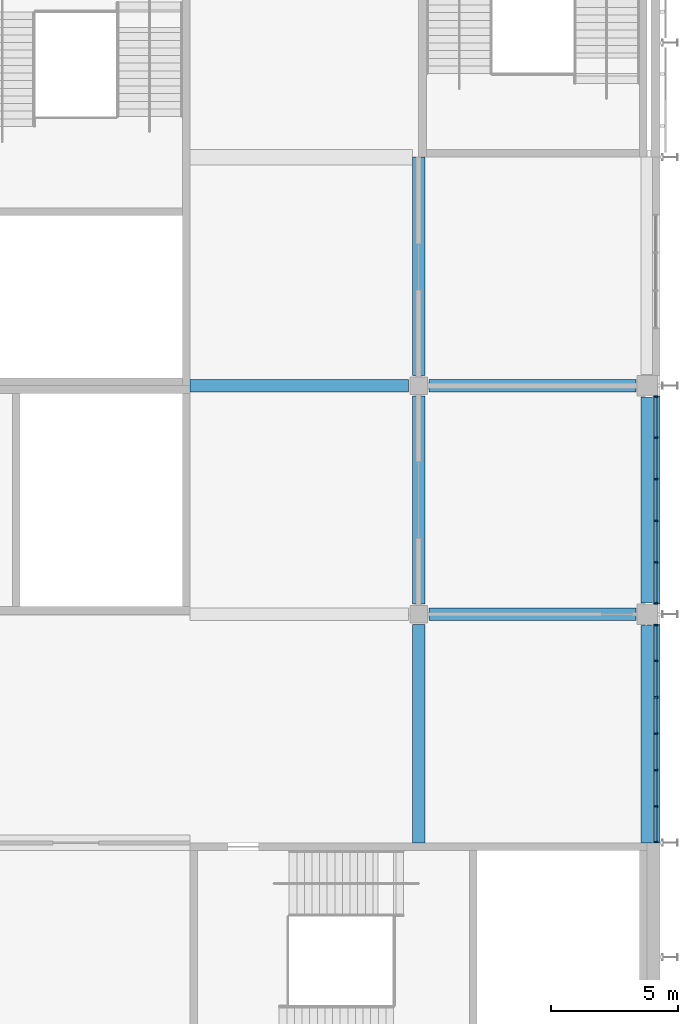
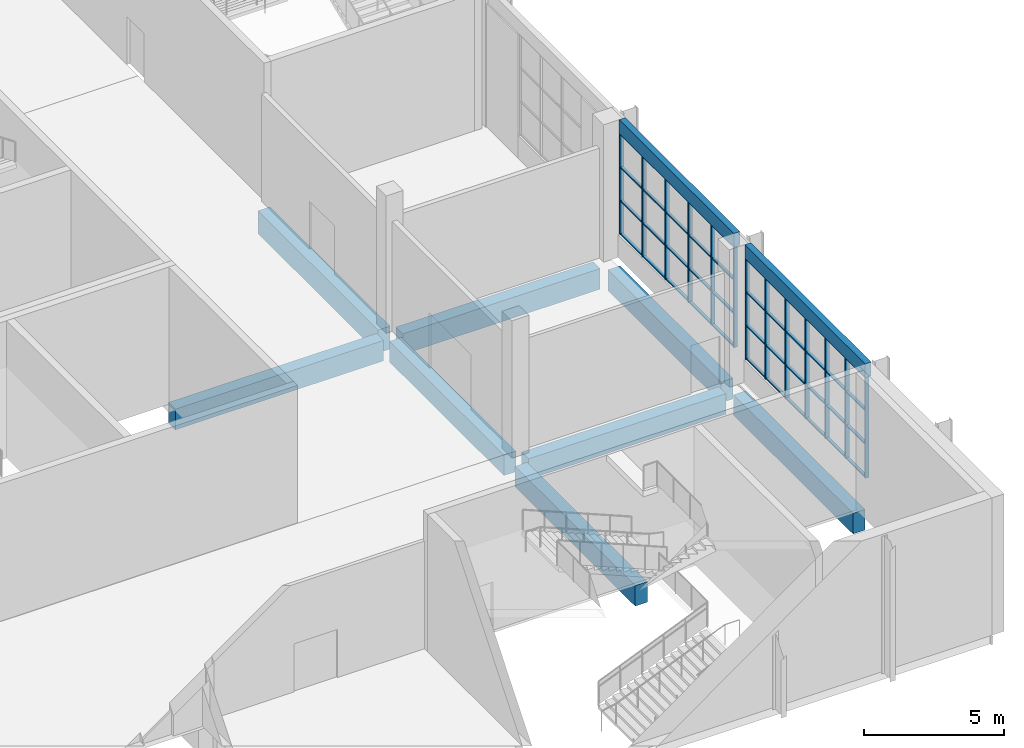
# One storey, part 19 of 89: 57 members, 10 beams, 2 elements without a shape of their own.
"""IFC4 building model written with IfcOpenShell, lengths in metres."""

import ifcopenshell
import ifcopenshell.guid

model = None  # the IFC model being written
_history = None  # IfcOwnerHistory: only IFC2X3 demands one
_inside = {}  # id of a spatial element -> (the spatial element, [elements in it])
_under = {}  # id of a project, library or spatial element -> (it, [spatial elements below it])
_declared = {}  # id of a project -> (the project, [libraries it declares])
_typed = {}  # id of a type object -> (the type object, [elements of that type])
_made_of = {}  # id of a material, layer set ... -> (it, [elements and type objects made of it])


def new_model(schema):
    """Start an empty IFC model of exactly this schema.

    Asked for "IFC4X3", IfcOpenShell would pick the latest addendum, in which some entities
    have other attributes; the version numbers below select the first issue.
    IFC2X3 requires an IfcOwnerHistory on every rooted entity: one is made here for all.
    """
    global model, _history
    if schema == "IFC4X3":
        model = ifcopenshell.file(schema_version=(4, 3, 0, 0))
    else:
        model = ifcopenshell.file(schema=schema)
    _inside.clear()
    _under.clear()
    _declared.clear()
    _typed.clear()
    _made_of.clear()
    _history = None
    if model.schema == "IFC2X3":
        org = make("IfcOrganization", Name="unknown")
        user = make(
            "IfcPersonAndOrganization",
            ThePerson=make("IfcPerson", FamilyName="unknown"),
            TheOrganization=org,
        )
        app = make(
            "IfcApplication",
            ApplicationDeveloper=org,
            Version="unknown",
            ApplicationFullName="unknown",
            ApplicationIdentifier="unknown",
        )
        _history = make(
            "IfcOwnerHistory",
            OwningUser=user,
            OwningApplication=app,
            ChangeAction="ADDED",
            CreationDate=0,
        )
    return model


def make(cls, **values):
    """One entity of the class cls with the attributes given. An attribute that is None is left unset."""
    return model.create_entity(
        cls, **{name: value for name, value in values.items() if value is not None}
    )


def rooted(cls, **values):
    """An entity with a GlobalId (a new one), such as an element, a storey or a relation."""
    return make(cls, GlobalId=ifcopenshell.guid.new(), OwnerHistory=_history, **values)


def si_unit(unit_type, name, prefix=None):
    """IfcSIUnit, for example si_unit("LENGTHUNIT", "METRE", prefix="MILLI")."""
    return make("IfcSIUnit", UnitType=unit_type, Prefix=prefix, Name=name)


def assignment(units):
    """IfcUnitAssignment: the units of a project."""
    return None if units is None else make("IfcUnitAssignment", Units=units)


def point(xyz):
    """IfcCartesianPoint."""
    return None if xyz is None else make("IfcCartesianPoint", Coordinates=xyz)


def direction(xyz):
    """IfcDirection."""
    return None if xyz is None else make("IfcDirection", DirectionRatios=xyz)


def frame(location, z_axis=None, x_axis=None):
    """IfcAxis2Placement3D, a coordinate frame: its origin and axes. An axis left out is left unset."""
    return make(
        "IfcAxis2Placement3D",
        Location=point(location),
        Axis=direction(z_axis),
        RefDirection=direction(x_axis),
    )


def frame_2d(location, x_axis=None):
    """IfcAxis2Placement2D, a coordinate frame in the plane: its origin and x axis."""
    return make(
        "IfcAxis2Placement2D", Location=point(location), RefDirection=direction(x_axis)
    )


def origin():
    """The frame at (0, 0, 0) with its axes left unset."""
    return frame((0.0, 0.0, 0.0))


def origin_2d():
    """The frame at (0, 0) in the plane with its x axis left unset."""
    return frame_2d((0.0, 0.0))


def place(relative_to, where):
    """IfcLocalPlacement: puts the frame where relative to a parent placement (None: the world)."""
    return make(
        "IfcLocalPlacement", PlacementRelTo=relative_to, RelativePlacement=where
    )


def context(
    kind, dimensions, precision=None, world=None, true_north=None, identifier=None
):
    """IfcGeometricRepresentationContext, for example the 3D "Model" context."""
    return make(
        "IfcGeometricRepresentationContext",
        ContextIdentifier=identifier,
        ContextType=kind,
        CoordinateSpaceDimension=dimensions,
        Precision=precision,
        WorldCoordinateSystem=world,
        TrueNorth=true_north,
    )


def subcontext(parent, identifier, kind, view, scale=None):
    """IfcGeometricRepresentationSubContext, for example "Body" below "Model"."""
    return make(
        "IfcGeometricRepresentationSubContext",
        ContextIdentifier=identifier,
        ContextType=kind,
        ParentContext=parent,
        TargetScale=scale,
        TargetView=view,
    )


def project(units=None, contexts=None):
    """IfcProject with its units and contexts."""
    return rooted(
        "IfcProject",
        Name="project",
        RepresentationContexts=contexts,
        UnitsInContext=assignment(units),
    )


def spatial(cls, under=None, at=None, **own):
    """A site, building, storey or space (cls), placed at a placement, below another one or the project."""
    s = rooted(cls, ObjectPlacement=at, **own)
    if under is not None:
        _under.setdefault(under.id(), (under, []))[1].append(s)
    return s


def profile(cls, at=None, kind="AREA", **sizes):
    """A parametric profile (cls). Its sizes go by their IFC names, for example OverallWidth=200.0."""
    return make(cls, ProfileType=kind, Position=at, **sizes)


def rectangle(**sizes):
    """IfcRectangleProfileDef."""
    return profile("IfcRectangleProfileDef", **sizes)


def extrude(swept, where, along, depth):
    """IfcExtrudedAreaSolid: the profile swept, set in the frame where, extruded along a direction by depth."""
    return make(
        "IfcExtrudedAreaSolid",
        SweptArea=swept,
        Position=where,
        ExtrudedDirection=direction(along),
        Depth=depth,
    )


def shape(context_of_items, identifier, shape_type, items):
    """IfcShapeRepresentation: the items that make up one representation, for example the "Body"."""
    return make(
        "IfcShapeRepresentation",
        ContextOfItems=context_of_items,
        RepresentationIdentifier=identifier,
        RepresentationType=shape_type,
        Items=items,
    )


def material(Name=None, Category=None):
    """IfcMaterial."""
    return make("IfcMaterial", Name=Name, Category=Category)


def material_profile(
    of_material, cross_section, Name=None, Category=None, Priority=None
):
    """IfcMaterialProfile: a cross section and its material."""
    return make(
        "IfcMaterialProfile",
        Name=Name,
        Material=of_material,
        Profile=cross_section,
        Priority=Priority,
        Category=Category,
    )


def profile_set(profiles, Name=None, composite=None):
    """IfcMaterialProfileSet."""
    return make(
        "IfcMaterialProfileSet",
        Name=Name,
        MaterialProfiles=profiles,
        CompositeProfile=composite,
    )


def made_of(thing, what):
    """Note that an element or type object is made of a material, layer set ...; save() writes the relation."""
    if what is not None:
        _made_of.setdefault(what.id(), (what, []))[1].append(thing)
    return thing


def type_object(cls, material=None, **own):
    """A type object (cls), such as IfcWallType, which elements share."""
    return made_of(rooted(cls, **own), material)


def element(
    cls,
    number,
    at=None,
    inside=None,
    cuts=None,
    type_object=None,
    material=None,
    context=None,
    identifier="Body",
    shape_type=None,
    held_by="IfcProductDefinitionShape",
    body=None,
    shapes=None,
    **own,
):
    """One element of the class cls, such as IfcWall. Its Tag is "e" and its number.

    at: its placement. inside: the storey or other place that contains it. cuts: it is an
    opening in that element (IfcRelVoidsElement). A single representation is given by context,
    identifier, shape_type and body (its items); several are given by shapes. held_by: the class
    of the entity that holds the representations. save() writes the other relations.
    """
    e = rooted(cls, Tag="e%d" % number, ObjectPlacement=at, **own)
    if body is not None:
        shapes = [shape(context, identifier, shape_type, body)]
    if shapes is not None:
        e.Representation = make(held_by, Representations=shapes)
    if inside is not None:
        _inside.setdefault(inside.id(), (inside, []))[1].append(e)
    if cuts is not None:
        rooted(
            "IfcRelVoidsElement", RelatingBuildingElement=cuts, RelatedOpeningElement=e
        )
    if type_object is not None:
        _typed.setdefault(type_object.id(), (type_object, []))[1].append(e)
    return made_of(e, material)


def aggregate(whole, parts):
    """IfcRelAggregates: a whole, such as a stair, and the parts it consists of."""
    return rooted("IfcRelAggregates", RelatingObject=whole, RelatedObjects=parts)


def save(model, path):
    """Write the relations noted so far, then the file.

    IfcRelAggregates (storeys below a building ...), IfcRelContainedInSpatialStructure (elements
    in a storey), IfcRelDefinesByType, IfcRelAssociatesMaterial and IfcRelDeclares: one each for
    every whole, place, type object, material and project.
    """
    for whole, parts in _under.values():
        aggregate(whole, parts)
    for where, things in _inside.values():
        rooted(
            "IfcRelContainedInSpatialStructure",
            RelatedElements=things,
            RelatingStructure=where,
        )
    for kind, things in _typed.values():
        rooted("IfcRelDefinesByType", RelatedObjects=things, RelatingType=kind)
    for what, things in _made_of.values():
        rooted("IfcRelAssociatesMaterial", RelatedObjects=things, RelatingMaterial=what)
    for by, libraries in _declared.values():
        rooted("IfcRelDeclares", RelatingContext=by, RelatedDefinitions=libraries)
    model.write(path)


model = new_model("IFC4")

# Units and contexts
model_context = context("Model", 3, precision=1e-05, world=origin(), true_north=direction((0.0, 1.0)))
body_context = subcontext(model_context, "Body", "Model", "MODEL_VIEW")
ifc_project = project(units=[si_unit("LENGTHUNIT", "METRE"), si_unit("AREAUNIT", "SQUARE_METRE"), si_unit("VOLUMEUNIT", "CUBIC_METRE"), si_unit("PLANEANGLEUNIT", "RADIAN"), si_unit("MASSUNIT", "GRAM", prefix="KILO")], contexts=[model_context])

# Site, building, storey
site_placement = place(None, origin())
site = spatial("IfcSite", under=ifc_project, at=site_placement, CompositionType="ELEMENT")
building_placement = place(site_placement, origin())
building = spatial("IfcBuilding", under=site, at=building_placement, Name="Silverbay Arena", CompositionType="ELEMENT")
storey_placement = place(building_placement, frame((0.0, 0.0, 22.0)))
storey = spatial("IfcBuildingStorey", under=building, at=storey_placement, Name="L03", CompositionType="ELEMENT", Elevation=22.0)

# Curtain wall, members
ifc_material_1 = material(Name="Aluminium framed curtain wall", Category="aluminium")
curtain_wall_type_1 = type_object("IfcCurtainWallType", Name="Curtain wall 8600 x 4400", PredefinedType="NOTDEFINED", material=ifc_material_1)
curtain_wall_1_placement = place(storey_placement, origin())
curtain_wall_1 = element("IfcCurtainWall", 1, at=curtain_wall_1_placement, inside=storey, type_object=curtain_wall_type_1, Name="East curtain wall L03 bay 2", PredefinedType="NOTDEFINED")
ifc_material_2 = material(Name="Aluminium", Category="aluminium")
ifc_material_profile_1 = material_profile(ifc_material_2, rectangle(XDim=0.159912109375, YDim=0.06005859375, at=origin_2d()), Name="Mullion 60 x 160")
ifc_profile_set_1 = profile_set([ifc_material_profile_1], Name="Aluminium")
member_type_1 = type_object("IfcMemberType", Name="Mullion 60 x 160", PredefinedType="MULLION", material=ifc_profile_set_1)
member_1_placement = place(storey_placement, frame((207.330078125, 27.030029296875, 1.0), z_axis=(0.0, 0.0, 1.0), x_axis=(-1.0, 0.0, 0.0)))
member_1 = element("IfcMember", 2, at=member_1_placement, type_object=member_type_1, Name="CW12 mullion 1", PredefinedType="MULLION", context=body_context, shape_type="SweptSolid", body=[
    extrude(rectangle(XDim=0.159912109375, YDim=0.06005859375, at=origin_2d()), origin(), (0.0, 0.0, 1.0), 4.39990234375),
])
member_2_placement = place(storey_placement, frame((207.330078125, 28.433349609375, 1.0), z_axis=(0.0, 0.0, 1.0), x_axis=(-1.0, 0.0, 0.0)))
member_2 = element("IfcMember", 3, at=member_2_placement, type_object=member_type_1, Name="CW12 mullion 2", PredefinedType="MULLION", context=body_context, shape_type="SweptSolid", body=[
    extrude(rectangle(XDim=0.159912109375, YDim=0.06005859375, at=origin_2d()), origin(), (0.0, 0.0, 1.0), 4.39990234375),
])
member_3_placement = place(storey_placement, frame((207.330078125, 29.86669921875, 1.0), z_axis=(0.0, 0.0, 1.0), x_axis=(-1.0, 0.0, 0.0)))
member_3 = element("IfcMember", 4, at=member_3_placement, type_object=member_type_1, Name="CW12 mullion 3", PredefinedType="MULLION", context=body_context, shape_type="SweptSolid", body=[
    extrude(rectangle(XDim=0.159912109375, YDim=0.06005859375, at=origin_2d()), origin(), (0.0, 0.0, 1.0), 4.39990234375),
])
member_4_placement = place(storey_placement, frame((207.330078125, 31.300048828125, 1.0), z_axis=(0.0, 0.0, 1.0), x_axis=(-1.0, 0.0, 0.0)))
member_4 = element("IfcMember", 5, at=member_4_placement, type_object=member_type_1, Name="CW12 mullion 4", PredefinedType="MULLION", context=body_context, shape_type="SweptSolid", body=[
    extrude(rectangle(XDim=0.159912109375, YDim=0.06005859375, at=origin_2d()), origin(), (0.0, 0.0, 1.0), 4.39990234375),
])
member_5_placement = place(storey_placement, frame((207.330078125, 32.7333984375, 1.0), z_axis=(0.0, 0.0, 1.0), x_axis=(-1.0, 0.0, 0.0)))
member_5 = element("IfcMember", 6, at=member_5_placement, type_object=member_type_1, Name="CW12 mullion 5", PredefinedType="MULLION", context=body_context, shape_type="SweptSolid", body=[
    extrude(rectangle(XDim=0.159912109375, YDim=0.06005859375, at=origin_2d()), origin(), (0.0, 0.0, 1.0), 4.39990234375),
])
member_6_placement = place(storey_placement, frame((207.330078125, 34.166748046875, 1.0), z_axis=(0.0, 0.0, 1.0), x_axis=(-1.0, 0.0, 0.0)))
member_6 = element("IfcMember", 7, at=member_6_placement, type_object=member_type_1, Name="CW12 mullion 6", PredefinedType="MULLION", context=body_context, shape_type="SweptSolid", body=[
    extrude(rectangle(XDim=0.159912109375, YDim=0.06005859375, at=origin_2d()), origin(), (0.0, 0.0, 1.0), 4.39990234375),
])
member_7_placement = place(storey_placement, frame((207.330078125, 35.570068359375, 1.0), z_axis=(0.0, 0.0, 1.0), x_axis=(-1.0, 0.0, 0.0)))
member_7 = element("IfcMember", 8, at=member_7_placement, type_object=member_type_1, Name="CW12 mullion 7", PredefinedType="MULLION", context=body_context, shape_type="SweptSolid", body=[
    extrude(rectangle(XDim=0.159912109375, YDim=0.06005859375, at=origin_2d()), origin(), (0.0, 0.0, 1.0), 4.39990234375),
])

ifc_material_3 = material(Name="Aluminium framed curtain wall", Category="aluminium")
curtain_wall_type_2 = type_object("IfcCurtainWallType", Name="Curtain wall 8200 x 4400", PredefinedType="NOTDEFINED", material=ifc_material_3)
curtain_wall_2_placement = place(storey_placement, origin())
curtain_wall_2 = element("IfcCurtainWall", 9, at=curtain_wall_2_placement, inside=storey, type_object=curtain_wall_type_2, Name="East curtain wall L03 bay 3", PredefinedType="NOTDEFINED")
member_8_placement = place(storey_placement, frame((207.330078125, 36.429931640625, 1.0), z_axis=(0.0, 0.0, 1.0), x_axis=(-1.0, 0.0, 0.0)))
member_8 = element("IfcMember", 10, at=member_8_placement, type_object=member_type_1, Name="CW13 mullion 1", PredefinedType="MULLION", context=body_context, shape_type="SweptSolid", body=[
    extrude(rectangle(XDim=0.159912109375, YDim=0.06005859375, at=origin_2d()), origin(), (0.0, 0.0, 1.0), 4.39990234375),
])
member_9_placement = place(storey_placement, frame((207.330078125, 38.0400390625, 1.0), z_axis=(0.0, 0.0, 1.0), x_axis=(-1.0, 0.0, 0.0)))
member_9 = element("IfcMember", 11, at=member_9_placement, type_object=member_type_1, Name="CW13 mullion 2", PredefinedType="MULLION", context=body_context, shape_type="SweptSolid", body=[
    extrude(rectangle(XDim=0.159912109375, YDim=0.06005859375, at=origin_2d()), origin(), (0.0, 0.0, 1.0), 4.39990234375),
])
member_10_placement = place(storey_placement, frame((207.330078125, 39.679931640625, 1.0), z_axis=(0.0, 0.0, 1.0), x_axis=(-1.0, 0.0, 0.0)))
member_10 = element("IfcMember", 12, at=member_10_placement, type_object=member_type_1, Name="CW13 mullion 3", PredefinedType="MULLION", context=body_context, shape_type="SweptSolid", body=[
    extrude(rectangle(XDim=0.159912109375, YDim=0.06005859375, at=origin_2d()), origin(), (0.0, 0.0, 1.0), 4.39990234375),
])
member_11_placement = place(storey_placement, frame((207.330078125, 41.320068359375, 1.0), z_axis=(0.0, 0.0, 1.0), x_axis=(-1.0, 0.0, 0.0)))
member_11 = element("IfcMember", 13, at=member_11_placement, type_object=member_type_1, Name="CW13 mullion 4", PredefinedType="MULLION", context=body_context, shape_type="SweptSolid", body=[
    extrude(rectangle(XDim=0.159912109375, YDim=0.06005859375, at=origin_2d()), origin(), (0.0, 0.0, 1.0), 4.39990234375),
])
member_12_placement = place(storey_placement, frame((207.330078125, 42.9599609375, 1.0), z_axis=(0.0, 0.0, 1.0), x_axis=(-1.0, 0.0, 0.0)))
member_12 = element("IfcMember", 14, at=member_12_placement, type_object=member_type_1, Name="CW13 mullion 5", PredefinedType="MULLION", context=body_context, shape_type="SweptSolid", body=[
    extrude(rectangle(XDim=0.159912109375, YDim=0.06005859375, at=origin_2d()), origin(), (0.0, 0.0, 1.0), 4.39990234375),
])
member_13_placement = place(storey_placement, frame((207.330078125, 44.570068359375, 1.0), z_axis=(0.0, 0.0, 1.0), x_axis=(-1.0, 0.0, 0.0)))
member_13 = element("IfcMember", 15, at=member_13_placement, type_object=member_type_1, Name="CW13 mullion 6", PredefinedType="MULLION", context=body_context, shape_type="SweptSolid", body=[
    extrude(rectangle(XDim=0.159912109375, YDim=0.06005859375, at=origin_2d()), origin(), (0.0, 0.0, 1.0), 4.39990234375),
])

# Beams
ifc_material_4 = material(Name="Concrete Grade C45", Category="concrete")
ifc_material_profile_2 = material_profile(ifc_material_4, rectangle(XDim=0.5, YDim=1.0, at=origin_2d()), Name="RC 500x1000")
ifc_profile_set_2 = profile_set([ifc_material_profile_2], Name="Concrete Grade C45")
beam_type_1 = type_object("IfcBeamType", Name="RC beam 500x1000", PredefinedType="BEAM", material=ifc_profile_set_2)
beam_1_placement = place(storey_placement, frame((198.0, 45.39990234375, -0.85009765625), z_axis=(0.0, 1.0, 0.0), x_axis=(-1.0, 0.0, 0.0)))
element("IfcBeam", 16, at=beam_1_placement, inside=storey, type_object=beam_type_1, Name="Floor beam L03 165", PredefinedType="BEAM", context=body_context, shape_type="SweptSolid", body=[
    extrude(rectangle(XDim=0.5, YDim=1.0, at=origin_2d()), origin(), (0.0, 0.0, 1.0), 8.60009765625),
])
ifc_material_5 = material(Name="Concrete Grade C45", Category="concrete")
ifc_material_profile_3 = material_profile(ifc_material_5, rectangle(XDim=0.5, YDim=0.89990234375, at=origin_2d()), Name="RC 500x900")
ifc_profile_set_3 = profile_set([ifc_material_profile_3], Name="Concrete Grade C45")
beam_type_2 = type_object("IfcBeamType", Name="RC beam 500x900", PredefinedType="BEAM", material=ifc_profile_set_3)
beam_2_placement = place(storey_placement, frame((198.39990234375, 36.0, -0.800048828125), z_axis=(1.0, 0.0, 0.0), x_axis=(0.0, 1.0, 0.0)))
element("IfcBeam", 17, at=beam_2_placement, inside=storey, type_object=beam_type_2, Name="Floor beam L03 014", PredefinedType="BEAM", context=body_context, shape_type="SweptSolid", body=[
    extrude(rectangle(XDim=0.5, YDim=0.89990234375, at=origin_2d()), origin(), (0.0, 0.0, 1.0), 8.150146484375),
])
beam_3_placement = place(storey_placement, frame((189.0, 45.0, -0.800048828125), z_axis=(1.0, 0.0, 0.0), x_axis=(0.0, 1.0, 0.0)))
element("IfcBeam", 18, at=beam_3_placement, inside=storey, type_object=beam_type_2, Name="Floor beam L03 019", PredefinedType="BEAM", context=body_context, shape_type="SweptSolid", body=[
    extrude(rectangle(XDim=0.5, YDim=0.89990234375, at=origin_2d()), origin(), (0.0, 0.0, 1.0), 8.60009765625),
])
beam_4_placement = place(storey_placement, frame((198.39990234375, 45.0, -0.800048828125), z_axis=(1.0, 0.0, 0.0), x_axis=(0.0, 1.0, 0.0)))
element("IfcBeam", 19, at=beam_4_placement, inside=storey, type_object=beam_type_2, Name="Floor beam L03 020", PredefinedType="BEAM", context=body_context, shape_type="SweptSolid", body=[
    extrude(rectangle(XDim=0.5, YDim=0.89990234375, at=origin_2d()), origin(), (0.0, 0.0, 1.0), 8.150146484375),
])
beam_5_placement = place(storey_placement, frame((198.0, 27.0, -0.800048828125), z_axis=(0.0, 1.0, 0.0), x_axis=(-1.0, 0.0, 0.0)))
element("IfcBeam", 20, at=beam_5_placement, inside=storey, type_object=beam_type_2, Name="Floor beam L03 163", PredefinedType="BEAM", context=body_context, shape_type="SweptSolid", body=[
    extrude(rectangle(XDim=0.5, YDim=0.89990234375, at=origin_2d()), origin(), (0.0, 0.0, 1.0), 8.60009765625),
])
beam_6_placement = place(storey_placement, frame((198.0, 36.39990234375, -0.800048828125), z_axis=(0.0, 1.0, 0.0), x_axis=(-1.0, 0.0, 0.0)))
element("IfcBeam", 21, at=beam_6_placement, inside=storey, type_object=beam_type_2, Name="Floor beam L03 164", PredefinedType="BEAM", context=body_context, shape_type="SweptSolid", body=[
    extrude(rectangle(XDim=0.5, YDim=0.89990234375, at=origin_2d()), origin(), (0.0, 0.0, 1.0), 8.2001953125),
])
beam_7_placement = place(storey_placement, frame((207.0, 27.0, -0.800048828125), z_axis=(0.0, 1.0, 0.0), x_axis=(-1.0, 0.0, 0.0)))
element("IfcBeam", 22, at=beam_7_placement, inside=storey, type_object=beam_type_2, Name="Floor beam L03 171", PredefinedType="BEAM", context=body_context, shape_type="SweptSolid", body=[
    extrude(rectangle(XDim=0.5, YDim=0.89990234375, at=origin_2d()), origin(), (0.0, 0.0, 1.0), 8.550048828125),
])
beam_8_placement = place(storey_placement, frame((207.0, 36.449951171875, -0.800048828125), z_axis=(0.0, 1.0, 0.0), x_axis=(-1.0, 0.0, 0.0)))
element("IfcBeam", 23, at=beam_8_placement, inside=storey, type_object=beam_type_2, Name="Floor beam L03 172", PredefinedType="BEAM", context=body_context, shape_type="SweptSolid", body=[
    extrude(rectangle(XDim=0.5, YDim=0.89990234375, at=origin_2d()), origin(), (0.0, 0.0, 1.0), 8.10009765625),
])
ifc_material_6 = material(Name="Concrete Grade C45", Category="concrete")
ifc_material_profile_4 = material_profile(ifc_material_6, rectangle(XDim=0.25, YDim=0.60009765625, at=origin_2d()), Name="RC 250x600")
ifc_profile_set_4 = profile_set([ifc_material_profile_4], Name="Concrete Grade C45")
beam_type_3 = type_object("IfcBeamType", Name="RC facade beam 250x600", PredefinedType="SPANDREL", material=ifc_profile_set_4)
beam_9_placement = place(storey_placement, frame((207.375, 27.0, 5.699951171875), z_axis=(0.0, 1.0, 0.0), x_axis=(-1.0, 0.0, 0.0)))
element("IfcBeam", 24, at=beam_9_placement, inside=storey, type_object=beam_type_3, Name="Facade beam L03 east", PredefinedType="SPANDREL", context=body_context, shape_type="SweptSolid", body=[
    extrude(rectangle(XDim=0.25, YDim=0.60009765625, at=origin_2d()), origin(), (0.0, 0.0, 1.0), 8.60009765625),
])
beam_10_placement = place(storey_placement, frame((207.375, 36.39990234375, 5.699951171875), z_axis=(0.0, 1.0, 0.0), x_axis=(-1.0, 0.0, 0.0)))
element("IfcBeam", 25, at=beam_10_placement, inside=storey, type_object=beam_type_3, Name="Facade beam L03 east", PredefinedType="SPANDREL", context=body_context, shape_type="SweptSolid", body=[
    extrude(rectangle(XDim=0.25, YDim=0.60009765625, at=origin_2d()), origin(), (0.0, 0.0, 1.0), 8.2001953125),
])

# Member
ifc_material_7 = material(Name="Aluminium", Category="aluminium")
ifc_material_profile_5 = material_profile(ifc_material_7, rectangle(XDim=0.1201171875, YDim=0.050048828125, at=origin_2d()), Name="Transom 50 x 120")
ifc_profile_set_5 = profile_set([ifc_material_profile_5], Name="Aluminium")
member_type_2 = type_object("IfcMemberType", Name="Transom 50 x 120", PredefinedType="USERDEFINED", material=ifc_profile_set_5)
member_14_placement = place(storey_placement, frame((207.330078125, 27.06005859375, 1.02490234375), z_axis=(0.0, 1.0, 0.0), x_axis=(-1.0, 0.0, 0.0)))
member_14 = element("IfcMember", 26, at=member_14_placement, type_object=member_type_2, Name="CW12 transom 1.1", ObjectType="TRANSOM", PredefinedType="USERDEFINED", context=body_context, shape_type="SweptSolid", body=[
    extrude(rectangle(XDim=0.1201171875, YDim=0.050048828125, at=origin_2d()), origin(), (0.0, 0.0, 1.0), 1.34326171875),
])

member_15_placement = place(storey_placement, frame((207.330078125, 27.06005859375, 2.466552734375), z_axis=(0.0, 1.0, 0.0), x_axis=(-1.0, 0.0, 0.0)))
member_15 = element("IfcMember", 27, at=member_15_placement, type_object=member_type_2, Name="CW12 transom 1.2", ObjectType="TRANSOM", PredefinedType="USERDEFINED", context=body_context, shape_type="SweptSolid", body=[
    extrude(rectangle(XDim=0.1201171875, YDim=0.050048828125, at=origin_2d()), origin(), (0.0, 0.0, 1.0), 1.34326171875),
])

member_16_placement = place(storey_placement, frame((207.330078125, 27.06005859375, 3.933349609375), z_axis=(0.0, 1.0, 0.0), x_axis=(-1.0, 0.0, 0.0)))
member_16 = element("IfcMember", 28, at=member_16_placement, type_object=member_type_2, Name="CW12 transom 1.3", ObjectType="TRANSOM", PredefinedType="USERDEFINED", context=body_context, shape_type="SweptSolid", body=[
    extrude(rectangle(XDim=0.1201171875, YDim=0.050048828125, at=origin_2d()), origin(), (0.0, 0.0, 1.0), 1.34326171875),
])

member_17_placement = place(storey_placement, frame((207.330078125, 27.06005859375, 5.375), z_axis=(0.0, 1.0, 0.0), x_axis=(-1.0, 0.0, 0.0)))
member_17 = element("IfcMember", 29, at=member_17_placement, type_object=member_type_2, Name="CW12 transom 1.4", ObjectType="TRANSOM", PredefinedType="USERDEFINED", context=body_context, shape_type="SweptSolid", body=[
    extrude(rectangle(XDim=0.1201171875, YDim=0.050048828125, at=origin_2d()), origin(), (0.0, 0.0, 1.0), 1.34326171875),
])

member_18_placement = place(storey_placement, frame((207.330078125, 28.46337890625, 1.02490234375), z_axis=(0.0, 1.0, 0.0), x_axis=(-1.0, 0.0, 0.0)))
member_18 = element("IfcMember", 30, at=member_18_placement, type_object=member_type_2, Name="CW12 transom 2.1", ObjectType="TRANSOM", PredefinedType="USERDEFINED", context=body_context, shape_type="SweptSolid", body=[
    extrude(rectangle(XDim=0.1201171875, YDim=0.050048828125, at=origin_2d()), origin(), (0.0, 0.0, 1.0), 1.373291015625),
])

member_19_placement = place(storey_placement, frame((207.330078125, 28.46337890625, 2.466552734375), z_axis=(0.0, 1.0, 0.0), x_axis=(-1.0, 0.0, 0.0)))
member_19 = element("IfcMember", 31, at=member_19_placement, type_object=member_type_2, Name="CW12 transom 2.2", ObjectType="TRANSOM", PredefinedType="USERDEFINED", context=body_context, shape_type="SweptSolid", body=[
    extrude(rectangle(XDim=0.1201171875, YDim=0.050048828125, at=origin_2d()), origin(), (0.0, 0.0, 1.0), 1.373291015625),
])

member_20_placement = place(storey_placement, frame((207.330078125, 28.46337890625, 3.933349609375), z_axis=(0.0, 1.0, 0.0), x_axis=(-1.0, 0.0, 0.0)))
member_20 = element("IfcMember", 32, at=member_20_placement, type_object=member_type_2, Name="CW12 transom 2.3", ObjectType="TRANSOM", PredefinedType="USERDEFINED", context=body_context, shape_type="SweptSolid", body=[
    extrude(rectangle(XDim=0.1201171875, YDim=0.050048828125, at=origin_2d()), origin(), (0.0, 0.0, 1.0), 1.373291015625),
])

member_21_placement = place(storey_placement, frame((207.330078125, 28.46337890625, 5.375), z_axis=(0.0, 1.0, 0.0), x_axis=(-1.0, 0.0, 0.0)))
member_21 = element("IfcMember", 33, at=member_21_placement, type_object=member_type_2, Name="CW12 transom 2.4", ObjectType="TRANSOM", PredefinedType="USERDEFINED", context=body_context, shape_type="SweptSolid", body=[
    extrude(rectangle(XDim=0.1201171875, YDim=0.050048828125, at=origin_2d()), origin(), (0.0, 0.0, 1.0), 1.373291015625),
])

member_22_placement = place(storey_placement, frame((207.330078125, 29.896728515625, 1.02490234375), z_axis=(0.0, 1.0, 0.0), x_axis=(-1.0, 0.0, 0.0)))
member_22 = element("IfcMember", 34, at=member_22_placement, type_object=member_type_2, Name="CW12 transom 3.1", ObjectType="TRANSOM", PredefinedType="USERDEFINED", context=body_context, shape_type="SweptSolid", body=[
    extrude(rectangle(XDim=0.1201171875, YDim=0.050048828125, at=origin_2d()), origin(), (0.0, 0.0, 1.0), 1.373291015625),
])

member_23_placement = place(storey_placement, frame((207.330078125, 29.896728515625, 2.466552734375), z_axis=(0.0, 1.0, 0.0), x_axis=(-1.0, 0.0, 0.0)))
member_23 = element("IfcMember", 35, at=member_23_placement, type_object=member_type_2, Name="CW12 transom 3.2", ObjectType="TRANSOM", PredefinedType="USERDEFINED", context=body_context, shape_type="SweptSolid", body=[
    extrude(rectangle(XDim=0.1201171875, YDim=0.050048828125, at=origin_2d()), origin(), (0.0, 0.0, 1.0), 1.373291015625),
])

member_24_placement = place(storey_placement, frame((207.330078125, 29.896728515625, 3.933349609375), z_axis=(0.0, 1.0, 0.0), x_axis=(-1.0, 0.0, 0.0)))
member_24 = element("IfcMember", 36, at=member_24_placement, type_object=member_type_2, Name="CW12 transom 3.3", ObjectType="TRANSOM", PredefinedType="USERDEFINED", context=body_context, shape_type="SweptSolid", body=[
    extrude(rectangle(XDim=0.1201171875, YDim=0.050048828125, at=origin_2d()), origin(), (0.0, 0.0, 1.0), 1.373291015625),
])

member_25_placement = place(storey_placement, frame((207.330078125, 29.896728515625, 5.375), z_axis=(0.0, 1.0, 0.0), x_axis=(-1.0, 0.0, 0.0)))
member_25 = element("IfcMember", 37, at=member_25_placement, type_object=member_type_2, Name="CW12 transom 3.4", ObjectType="TRANSOM", PredefinedType="USERDEFINED", context=body_context, shape_type="SweptSolid", body=[
    extrude(rectangle(XDim=0.1201171875, YDim=0.050048828125, at=origin_2d()), origin(), (0.0, 0.0, 1.0), 1.373291015625),
])

member_26_placement = place(storey_placement, frame((207.330078125, 31.330078125, 1.02490234375), z_axis=(0.0, 1.0, 0.0), x_axis=(-1.0, 0.0, 0.0)))
member_26 = element("IfcMember", 38, at=member_26_placement, type_object=member_type_2, Name="CW12 transom 4.1", ObjectType="TRANSOM", PredefinedType="USERDEFINED", context=body_context, shape_type="SweptSolid", body=[
    extrude(rectangle(XDim=0.1201171875, YDim=0.050048828125, at=origin_2d()), origin(), (0.0, 0.0, 1.0), 1.373291015625),
])

member_27_placement = place(storey_placement, frame((207.330078125, 31.330078125, 2.466552734375), z_axis=(0.0, 1.0, 0.0), x_axis=(-1.0, 0.0, 0.0)))
member_27 = element("IfcMember", 39, at=member_27_placement, type_object=member_type_2, Name="CW12 transom 4.2", ObjectType="TRANSOM", PredefinedType="USERDEFINED", context=body_context, shape_type="SweptSolid", body=[
    extrude(rectangle(XDim=0.1201171875, YDim=0.050048828125, at=origin_2d()), origin(), (0.0, 0.0, 1.0), 1.373291015625),
])

member_28_placement = place(storey_placement, frame((207.330078125, 31.330078125, 3.933349609375), z_axis=(0.0, 1.0, 0.0), x_axis=(-1.0, 0.0, 0.0)))
member_28 = element("IfcMember", 40, at=member_28_placement, type_object=member_type_2, Name="CW12 transom 4.3", ObjectType="TRANSOM", PredefinedType="USERDEFINED", context=body_context, shape_type="SweptSolid", body=[
    extrude(rectangle(XDim=0.1201171875, YDim=0.050048828125, at=origin_2d()), origin(), (0.0, 0.0, 1.0), 1.373291015625),
])

member_29_placement = place(storey_placement, frame((207.330078125, 31.330078125, 5.375), z_axis=(0.0, 1.0, 0.0), x_axis=(-1.0, 0.0, 0.0)))
member_29 = element("IfcMember", 41, at=member_29_placement, type_object=member_type_2, Name="CW12 transom 4.4", ObjectType="TRANSOM", PredefinedType="USERDEFINED", context=body_context, shape_type="SweptSolid", body=[
    extrude(rectangle(XDim=0.1201171875, YDim=0.050048828125, at=origin_2d()), origin(), (0.0, 0.0, 1.0), 1.373291015625),
])

member_30_placement = place(storey_placement, frame((207.330078125, 32.763427734375, 1.02490234375), z_axis=(0.0, 1.0, 0.0), x_axis=(-1.0, 0.0, 0.0)))
member_30 = element("IfcMember", 42, at=member_30_placement, type_object=member_type_2, Name="CW12 transom 5.1", ObjectType="TRANSOM", PredefinedType="USERDEFINED", context=body_context, shape_type="SweptSolid", body=[
    extrude(rectangle(XDim=0.1201171875, YDim=0.050048828125, at=origin_2d()), origin(), (0.0, 0.0, 1.0), 1.373291015625),
])

member_31_placement = place(storey_placement, frame((207.330078125, 32.763427734375, 2.466552734375), z_axis=(0.0, 1.0, 0.0), x_axis=(-1.0, 0.0, 0.0)))
member_31 = element("IfcMember", 43, at=member_31_placement, type_object=member_type_2, Name="CW12 transom 5.2", ObjectType="TRANSOM", PredefinedType="USERDEFINED", context=body_context, shape_type="SweptSolid", body=[
    extrude(rectangle(XDim=0.1201171875, YDim=0.050048828125, at=origin_2d()), origin(), (0.0, 0.0, 1.0), 1.373291015625),
])

member_32_placement = place(storey_placement, frame((207.330078125, 32.763427734375, 3.933349609375), z_axis=(0.0, 1.0, 0.0), x_axis=(-1.0, 0.0, 0.0)))
member_32 = element("IfcMember", 44, at=member_32_placement, type_object=member_type_2, Name="CW12 transom 5.3", ObjectType="TRANSOM", PredefinedType="USERDEFINED", context=body_context, shape_type="SweptSolid", body=[
    extrude(rectangle(XDim=0.1201171875, YDim=0.050048828125, at=origin_2d()), origin(), (0.0, 0.0, 1.0), 1.373291015625),
])

member_33_placement = place(storey_placement, frame((207.330078125, 32.763427734375, 5.375), z_axis=(0.0, 1.0, 0.0), x_axis=(-1.0, 0.0, 0.0)))
member_33 = element("IfcMember", 45, at=member_33_placement, type_object=member_type_2, Name="CW12 transom 5.4", ObjectType="TRANSOM", PredefinedType="USERDEFINED", context=body_context, shape_type="SweptSolid", body=[
    extrude(rectangle(XDim=0.1201171875, YDim=0.050048828125, at=origin_2d()), origin(), (0.0, 0.0, 1.0), 1.373291015625),
])

member_34_placement = place(storey_placement, frame((207.330078125, 34.19677734375, 1.02490234375), z_axis=(0.0, 1.0, 0.0), x_axis=(-1.0, 0.0, 0.0)))
member_34 = element("IfcMember", 46, at=member_34_placement, type_object=member_type_2, Name="CW12 transom 6.1", ObjectType="TRANSOM", PredefinedType="USERDEFINED", context=body_context, shape_type="SweptSolid", body=[
    extrude(rectangle(XDim=0.1201171875, YDim=0.050048828125, at=origin_2d()), origin(), (0.0, 0.0, 1.0), 1.34326171875),
])

member_35_placement = place(storey_placement, frame((207.330078125, 34.19677734375, 2.466552734375), z_axis=(0.0, 1.0, 0.0), x_axis=(-1.0, 0.0, 0.0)))
member_35 = element("IfcMember", 47, at=member_35_placement, type_object=member_type_2, Name="CW12 transom 6.2", ObjectType="TRANSOM", PredefinedType="USERDEFINED", context=body_context, shape_type="SweptSolid", body=[
    extrude(rectangle(XDim=0.1201171875, YDim=0.050048828125, at=origin_2d()), origin(), (0.0, 0.0, 1.0), 1.34326171875),
])

member_36_placement = place(storey_placement, frame((207.330078125, 34.19677734375, 3.933349609375), z_axis=(0.0, 1.0, 0.0), x_axis=(-1.0, 0.0, 0.0)))
member_36 = element("IfcMember", 48, at=member_36_placement, type_object=member_type_2, Name="CW12 transom 6.3", ObjectType="TRANSOM", PredefinedType="USERDEFINED", context=body_context, shape_type="SweptSolid", body=[
    extrude(rectangle(XDim=0.1201171875, YDim=0.050048828125, at=origin_2d()), origin(), (0.0, 0.0, 1.0), 1.34326171875),
])

member_37_placement = place(storey_placement, frame((207.330078125, 34.19677734375, 5.375), z_axis=(0.0, 1.0, 0.0), x_axis=(-1.0, 0.0, 0.0)))
member_37 = element("IfcMember", 49, at=member_37_placement, type_object=member_type_2, Name="CW12 transom 6.4", ObjectType="TRANSOM", PredefinedType="USERDEFINED", context=body_context, shape_type="SweptSolid", body=[
    extrude(rectangle(XDim=0.1201171875, YDim=0.050048828125, at=origin_2d()), origin(), (0.0, 0.0, 1.0), 1.34326171875),
])

aggregate(curtain_wall_1, [member_1, member_2, member_3, member_4, member_5, member_6, member_7, member_14, member_15, member_16, member_17, member_18, member_19, member_20, member_21, member_22, member_23, member_24, member_25, member_26, member_27, member_28, member_29, member_30, member_31, member_32, member_33, member_34, member_35, member_36, member_37])

member_38_placement = place(storey_placement, frame((207.330078125, 36.4599609375, 1.02490234375), z_axis=(0.0, 1.0, 0.0), x_axis=(-1.0, 0.0, 0.0)))
member_38 = element("IfcMember", 50, at=member_38_placement, type_object=member_type_2, Name="CW13 transom 1.1", ObjectType="TRANSOM", PredefinedType="USERDEFINED", context=body_context, shape_type="SweptSolid", body=[
    extrude(rectangle(XDim=0.1201171875, YDim=0.050048828125, at=origin_2d()), origin(), (0.0, 0.0, 1.0), 1.550048828125),
])

member_39_placement = place(storey_placement, frame((207.330078125, 36.4599609375, 2.466552734375), z_axis=(0.0, 1.0, 0.0), x_axis=(-1.0, 0.0, 0.0)))
member_39 = element("IfcMember", 51, at=member_39_placement, type_object=member_type_2, Name="CW13 transom 1.2", ObjectType="TRANSOM", PredefinedType="USERDEFINED", context=body_context, shape_type="SweptSolid", body=[
    extrude(rectangle(XDim=0.1201171875, YDim=0.050048828125, at=origin_2d()), origin(), (0.0, 0.0, 1.0), 1.550048828125),
])

member_40_placement = place(storey_placement, frame((207.330078125, 36.4599609375, 3.933349609375), z_axis=(0.0, 1.0, 0.0), x_axis=(-1.0, 0.0, 0.0)))
member_40 = element("IfcMember", 52, at=member_40_placement, type_object=member_type_2, Name="CW13 transom 1.3", ObjectType="TRANSOM", PredefinedType="USERDEFINED", context=body_context, shape_type="SweptSolid", body=[
    extrude(rectangle(XDim=0.1201171875, YDim=0.050048828125, at=origin_2d()), origin(), (0.0, 0.0, 1.0), 1.550048828125),
])

member_41_placement = place(storey_placement, frame((207.330078125, 36.4599609375, 5.375), z_axis=(0.0, 1.0, 0.0), x_axis=(-1.0, 0.0, 0.0)))
member_41 = element("IfcMember", 53, at=member_41_placement, type_object=member_type_2, Name="CW13 transom 1.4", ObjectType="TRANSOM", PredefinedType="USERDEFINED", context=body_context, shape_type="SweptSolid", body=[
    extrude(rectangle(XDim=0.1201171875, YDim=0.050048828125, at=origin_2d()), origin(), (0.0, 0.0, 1.0), 1.550048828125),
])

member_42_placement = place(storey_placement, frame((207.330078125, 38.070068359375, 1.02490234375), z_axis=(0.0, 1.0, 0.0), x_axis=(-1.0, 0.0, 0.0)))
member_42 = element("IfcMember", 54, at=member_42_placement, type_object=member_type_2, Name="CW13 transom 2.1", ObjectType="TRANSOM", PredefinedType="USERDEFINED", context=body_context, shape_type="SweptSolid", body=[
    extrude(rectangle(XDim=0.1201171875, YDim=0.050048828125, at=origin_2d()), origin(), (0.0, 0.0, 1.0), 1.579833984375),
])

member_43_placement = place(storey_placement, frame((207.330078125, 38.070068359375, 2.466552734375), z_axis=(0.0, 1.0, 0.0), x_axis=(-1.0, 0.0, 0.0)))
member_43 = element("IfcMember", 55, at=member_43_placement, type_object=member_type_2, Name="CW13 transom 2.2", ObjectType="TRANSOM", PredefinedType="USERDEFINED", context=body_context, shape_type="SweptSolid", body=[
    extrude(rectangle(XDim=0.1201171875, YDim=0.050048828125, at=origin_2d()), origin(), (0.0, 0.0, 1.0), 1.579833984375),
])

member_44_placement = place(storey_placement, frame((207.330078125, 38.070068359375, 3.933349609375), z_axis=(0.0, 1.0, 0.0), x_axis=(-1.0, 0.0, 0.0)))
member_44 = element("IfcMember", 56, at=member_44_placement, type_object=member_type_2, Name="CW13 transom 2.3", ObjectType="TRANSOM", PredefinedType="USERDEFINED", context=body_context, shape_type="SweptSolid", body=[
    extrude(rectangle(XDim=0.1201171875, YDim=0.050048828125, at=origin_2d()), origin(), (0.0, 0.0, 1.0), 1.579833984375),
])

member_45_placement = place(storey_placement, frame((207.330078125, 38.070068359375, 5.375), z_axis=(0.0, 1.0, 0.0), x_axis=(-1.0, 0.0, 0.0)))
member_45 = element("IfcMember", 57, at=member_45_placement, type_object=member_type_2, Name="CW13 transom 2.4", ObjectType="TRANSOM", PredefinedType="USERDEFINED", context=body_context, shape_type="SweptSolid", body=[
    extrude(rectangle(XDim=0.1201171875, YDim=0.050048828125, at=origin_2d()), origin(), (0.0, 0.0, 1.0), 1.579833984375),
])

member_46_placement = place(storey_placement, frame((207.330078125, 39.7099609375, 1.02490234375), z_axis=(0.0, 1.0, 0.0), x_axis=(-1.0, 0.0, 0.0)))
member_46 = element("IfcMember", 58, at=member_46_placement, type_object=member_type_2, Name="CW13 transom 3.1", ObjectType="TRANSOM", PredefinedType="USERDEFINED", context=body_context, shape_type="SweptSolid", body=[
    extrude(rectangle(XDim=0.1201171875, YDim=0.050048828125, at=origin_2d()), origin(), (0.0, 0.0, 1.0), 1.580078125),
])

member_47_placement = place(storey_placement, frame((207.330078125, 39.7099609375, 2.466552734375), z_axis=(0.0, 1.0, 0.0), x_axis=(-1.0, 0.0, 0.0)))
member_47 = element("IfcMember", 59, at=member_47_placement, type_object=member_type_2, Name="CW13 transom 3.2", ObjectType="TRANSOM", PredefinedType="USERDEFINED", context=body_context, shape_type="SweptSolid", body=[
    extrude(rectangle(XDim=0.1201171875, YDim=0.050048828125, at=origin_2d()), origin(), (0.0, 0.0, 1.0), 1.580078125),
])

member_48_placement = place(storey_placement, frame((207.330078125, 39.7099609375, 3.933349609375), z_axis=(0.0, 1.0, 0.0), x_axis=(-1.0, 0.0, 0.0)))
member_48 = element("IfcMember", 60, at=member_48_placement, type_object=member_type_2, Name="CW13 transom 3.3", ObjectType="TRANSOM", PredefinedType="USERDEFINED", context=body_context, shape_type="SweptSolid", body=[
    extrude(rectangle(XDim=0.1201171875, YDim=0.050048828125, at=origin_2d()), origin(), (0.0, 0.0, 1.0), 1.580078125),
])

member_49_placement = place(storey_placement, frame((207.330078125, 39.7099609375, 5.375), z_axis=(0.0, 1.0, 0.0), x_axis=(-1.0, 0.0, 0.0)))
member_49 = element("IfcMember", 61, at=member_49_placement, type_object=member_type_2, Name="CW13 transom 3.4", ObjectType="TRANSOM", PredefinedType="USERDEFINED", context=body_context, shape_type="SweptSolid", body=[
    extrude(rectangle(XDim=0.1201171875, YDim=0.050048828125, at=origin_2d()), origin(), (0.0, 0.0, 1.0), 1.580078125),
])

member_50_placement = place(storey_placement, frame((207.330078125, 41.35009765625, 1.02490234375), z_axis=(0.0, 1.0, 0.0), x_axis=(-1.0, 0.0, 0.0)))
member_50 = element("IfcMember", 62, at=member_50_placement, type_object=member_type_2, Name="CW13 transom 4.1", ObjectType="TRANSOM", PredefinedType="USERDEFINED", context=body_context, shape_type="SweptSolid", body=[
    extrude(rectangle(XDim=0.1201171875, YDim=0.050048828125, at=origin_2d()), origin(), (0.0, 0.0, 1.0), 1.579833984375),
])

member_51_placement = place(storey_placement, frame((207.330078125, 41.35009765625, 2.466552734375), z_axis=(0.0, 1.0, 0.0), x_axis=(-1.0, 0.0, 0.0)))
member_51 = element("IfcMember", 63, at=member_51_placement, type_object=member_type_2, Name="CW13 transom 4.2", ObjectType="TRANSOM", PredefinedType="USERDEFINED", context=body_context, shape_type="SweptSolid", body=[
    extrude(rectangle(XDim=0.1201171875, YDim=0.050048828125, at=origin_2d()), origin(), (0.0, 0.0, 1.0), 1.579833984375),
])

member_52_placement = place(storey_placement, frame((207.330078125, 41.35009765625, 3.933349609375), z_axis=(0.0, 1.0, 0.0), x_axis=(-1.0, 0.0, 0.0)))
member_52 = element("IfcMember", 64, at=member_52_placement, type_object=member_type_2, Name="CW13 transom 4.3", ObjectType="TRANSOM", PredefinedType="USERDEFINED", context=body_context, shape_type="SweptSolid", body=[
    extrude(rectangle(XDim=0.1201171875, YDim=0.050048828125, at=origin_2d()), origin(), (0.0, 0.0, 1.0), 1.579833984375),
])

member_53_placement = place(storey_placement, frame((207.330078125, 41.35009765625, 5.375), z_axis=(0.0, 1.0, 0.0), x_axis=(-1.0, 0.0, 0.0)))
member_53 = element("IfcMember", 65, at=member_53_placement, type_object=member_type_2, Name="CW13 transom 4.4", ObjectType="TRANSOM", PredefinedType="USERDEFINED", context=body_context, shape_type="SweptSolid", body=[
    extrude(rectangle(XDim=0.1201171875, YDim=0.050048828125, at=origin_2d()), origin(), (0.0, 0.0, 1.0), 1.579833984375),
])

member_54_placement = place(storey_placement, frame((207.330078125, 42.989990234375, 1.02490234375), z_axis=(0.0, 1.0, 0.0), x_axis=(-1.0, 0.0, 0.0)))
member_54 = element("IfcMember", 66, at=member_54_placement, type_object=member_type_2, Name="CW13 transom 5.1", ObjectType="TRANSOM", PredefinedType="USERDEFINED", context=body_context, shape_type="SweptSolid", body=[
    extrude(rectangle(XDim=0.1201171875, YDim=0.050048828125, at=origin_2d()), origin(), (0.0, 0.0, 1.0), 1.550048828125),
])

member_55_placement = place(storey_placement, frame((207.330078125, 42.989990234375, 2.466552734375), z_axis=(0.0, 1.0, 0.0), x_axis=(-1.0, 0.0, 0.0)))
member_55 = element("IfcMember", 67, at=member_55_placement, type_object=member_type_2, Name="CW13 transom 5.2", ObjectType="TRANSOM", PredefinedType="USERDEFINED", context=body_context, shape_type="SweptSolid", body=[
    extrude(rectangle(XDim=0.1201171875, YDim=0.050048828125, at=origin_2d()), origin(), (0.0, 0.0, 1.0), 1.550048828125),
])

member_56_placement = place(storey_placement, frame((207.330078125, 42.989990234375, 3.933349609375), z_axis=(0.0, 1.0, 0.0), x_axis=(-1.0, 0.0, 0.0)))
member_56 = element("IfcMember", 68, at=member_56_placement, type_object=member_type_2, Name="CW13 transom 5.3", ObjectType="TRANSOM", PredefinedType="USERDEFINED", context=body_context, shape_type="SweptSolid", body=[
    extrude(rectangle(XDim=0.1201171875, YDim=0.050048828125, at=origin_2d()), origin(), (0.0, 0.0, 1.0), 1.550048828125),
])

member_57_placement = place(storey_placement, frame((207.330078125, 42.989990234375, 5.375), z_axis=(0.0, 1.0, 0.0), x_axis=(-1.0, 0.0, 0.0)))
member_57 = element("IfcMember", 69, at=member_57_placement, type_object=member_type_2, Name="CW13 transom 5.4", ObjectType="TRANSOM", PredefinedType="USERDEFINED", context=body_context, shape_type="SweptSolid", body=[
    extrude(rectangle(XDim=0.1201171875, YDim=0.050048828125, at=origin_2d()), origin(), (0.0, 0.0, 1.0), 1.550048828125),
])

aggregate(curtain_wall_2, [member_8, member_9, member_10, member_11, member_12, member_13, member_38, member_39, member_40, member_41, member_42, member_43, member_44, member_45, member_46, member_47, member_48, member_49, member_50, member_51, member_52, member_53, member_54, member_55, member_56, member_57])

save(model, "model.ifc")
